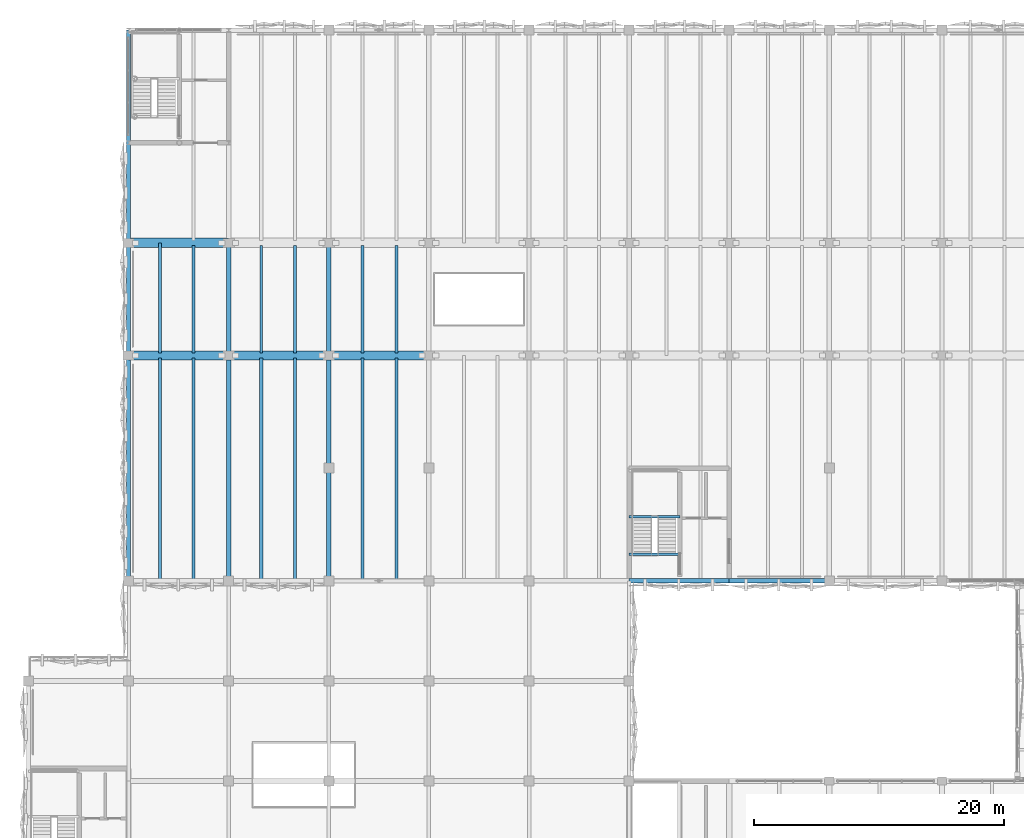
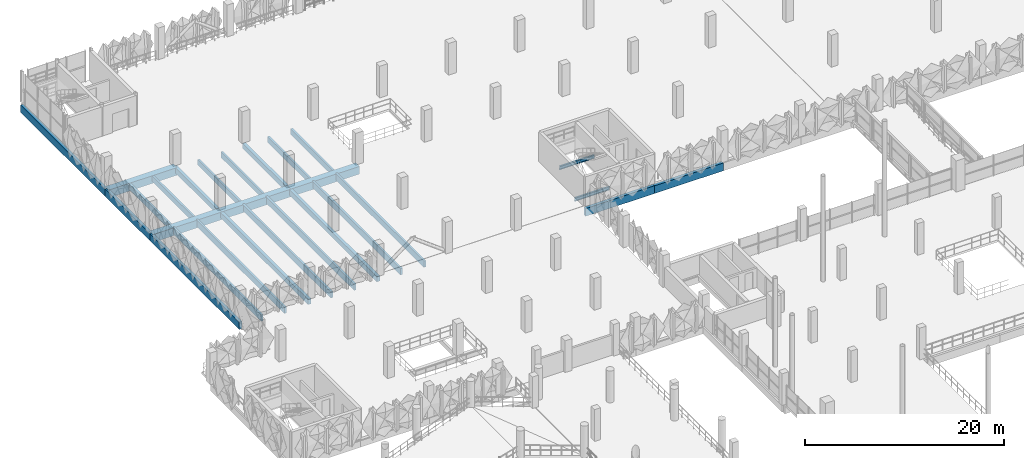
# One storey, part 29 of 123: 27 beams.
"""IFC4 building model written with IfcOpenShell, lengths in metres."""

from ifc_helpers import new_model, si_unit, derived_unit, direction, frame, origin, origin_2d, place, context, subcontext, project, spatial, rectangle, i_section, extrude, material, material_profile, profile_set, type_object, element, save


model = new_model("IFC4")

# Units and contexts
model_context = context("Model", 3, precision=1e-05, world=origin(), true_north=direction((0.0, 1.0)))
body_context = subcontext(model_context, "Body", "Model", "MODEL_VIEW")
ifc_project = project(units=[si_unit("LENGTHUNIT", "METRE"), si_unit("AREAUNIT", "SQUARE_METRE"), si_unit("VOLUMEUNIT", "CUBIC_METRE"), si_unit("PLANEANGLEUNIT", "RADIAN"), si_unit("MASSUNIT", "GRAM", prefix="KILO"), si_unit("THERMODYNAMICTEMPERATUREUNIT", "KELVIN"), derived_unit("THERMALTRANSMITTANCEUNIT", [(si_unit("POWERUNIT", "WATT"), 1), (si_unit("AREAUNIT", "SQUARE_METRE"), -1), (si_unit("THERMODYNAMICTEMPERATUREUNIT", "KELVIN"), -1)])], contexts=[model_context])

# Site, building, storey
site_placement = place(None, origin())
site = spatial("IfcSite", under=ifc_project, at=site_placement, CompositionType="ELEMENT")
building_placement = place(site_placement, origin())
building = spatial("IfcBuilding", under=site, at=building_placement, Name="Haiyu Intermodal Mobility Hub", CompositionType="ELEMENT")
storey_placement = place(building_placement, frame((0.0, 0.0, 5.60009765625)))
storey = spatial("IfcBuildingStorey", under=building, at=storey_placement, Name="L01", CompositionType="ELEMENT", Elevation=5.60009765625)

# Beams
ifc_material_1 = material(Name="Concrete C40", Category="concrete")
ifc_material_profile_1 = material_profile(ifc_material_1, rectangle(XDim=0.35009765625, YDim=0.64990234375, at=origin_2d()), Name="RCB350x650")
ifc_profile_set_1 = profile_set([ifc_material_profile_1], Name="Concrete C40")
beam_type_1 = type_object("IfcBeamType", Name="BM-CB04", PredefinedType="BEAM", material=ifc_profile_set_1)
beam_1_placement = place(storey_placement, frame((30.0, 104.0, -0.60009765625), z_axis=(0.0, 1.0, 0.0), x_axis=(-1.0, 0.0, 0.0)))
element("IfcBeam", 1, at=beam_1_placement, inside=storey, type_object=beam_type_1, Name="BM-V4E-L01-004", PredefinedType="BEAM", context=body_context, shape_type="SweptSolid", body=[
    extrude(rectangle(XDim=0.35009765625, YDim=0.64990234375, at=origin_2d()), origin(), (0.0, 0.0, 1.0), 18.0),
])
beam_2_placement = place(storey_placement, frame((30.0, 122.0, -0.60009765625), z_axis=(0.0, 1.0, 0.0), x_axis=(-1.0, 0.0, 0.0)))
element("IfcBeam", 2, at=beam_2_placement, inside=storey, type_object=beam_type_1, Name="BM-V4E-L01-005", PredefinedType="BEAM", context=body_context, shape_type="SweptSolid", body=[
    extrude(rectangle(XDim=0.35009765625, YDim=0.64990234375, at=origin_2d()), origin(), (0.0, 0.0, 1.0), 9.0),
])
beam_3_placement = place(storey_placement, frame((38.0, 104.0, -0.60009765625), z_axis=(0.0, 1.0, 0.0), x_axis=(-1.0, 0.0, 0.0)))
element("IfcBeam", 3, at=beam_3_placement, inside=storey, type_object=beam_type_1, Name="BM-V4E-L01-007", PredefinedType="BEAM", context=body_context, shape_type="SweptSolid", body=[
    extrude(rectangle(XDim=0.35009765625, YDim=0.64990234375, at=origin_2d()), origin(), (0.0, 0.0, 1.0), 18.0),
])
beam_4_placement = place(storey_placement, frame((38.0, 122.0, -0.60009765625), z_axis=(0.0, 1.0, 0.0), x_axis=(-1.0, 0.0, 0.0)))
element("IfcBeam", 4, at=beam_4_placement, inside=storey, type_object=beam_type_1, Name="BM-V4E-L01-008", PredefinedType="BEAM", context=body_context, shape_type="SweptSolid", body=[
    extrude(rectangle(XDim=0.35009765625, YDim=0.64990234375, at=origin_2d()), origin(), (0.0, 0.0, 1.0), 9.0),
])
ifc_material_2 = material(Name="Precast concrete C50", Category="concrete")
ifc_material_profile_2 = material_profile(ifc_material_2, rectangle(XDim=0.239990234375, YDim=0.780029296875, at=origin_2d()), Name="PC240x780")
ifc_profile_set_2 = profile_set([ifc_material_profile_2], Name="Precast concrete C50")
beam_type_2 = type_object("IfcBeamType", Name="BM-DT01", PredefinedType="JOIST", material=ifc_profile_set_2)
for number, where, z_axis, x_axis, name in (
    (5, (24.5, 104.0, -0.6650390625), (0.0, 1.0, 0.0), (-1.0, 0.0, 0.0), "BM-DT-L01-001"),
    (6, (27.199951171875, 104.0, -0.6650390625), (0.0, 1.0, 0.0), (-1.0, 0.0, 0.0), "BM-DT-L01-004"),
    (7, (32.60009765625, 104.0, -0.6650390625), (0.0, 1.0, 0.0), (-1.0, 0.0, 0.0), "BM-DT-L01-007"),
    (8, (35.300048828125, 104.0, -0.6650390625), (0.0, 1.0, 0.0), (-1.0, 0.0, 0.0), "BM-DT-L01-010"),
    (9, (40.699951171875, 104.0, -0.6650390625), (0.0, 1.0, 0.0), (-1.0, 0.0, 0.0), "BM-DT-L01-013"),
    (10, (43.39990234375, 104.0, -0.6650390625), (0.0, 1.0, 0.0), (-1.0, 0.0, 0.0), "BM-DT-L01-016"),
):
    element("IfcBeam", number, at=place(storey_placement, frame(where, z_axis=z_axis, x_axis=x_axis)), inside=storey, type_object=beam_type_2, Name=name, PredefinedType="JOIST", context=body_context, shape_type="SweptSolid", body=[
        extrude(rectangle(XDim=0.239990234375, YDim=0.780029296875, at=origin_2d()), origin(), (0.0, 0.0, 1.0), 17.804931640625),
    ])
ifc_material_profile_3 = material_profile(ifc_material_2, rectangle(XDim=0.22998046875, YDim=0.68994140625, at=origin_2d()), Name="B230x690")
ifc_profile_set_3 = profile_set([ifc_material_profile_3], Name="Precast concrete C50")
beam_type_3 = type_object("IfcBeamType", Name="BM-DT06", PredefinedType="JOIST", material=ifc_profile_set_3)
beam_5_placement = place(storey_placement, frame((24.5, 122.195068359375, -0.6201171875), z_axis=(0.0, 1.0, 0.0), x_axis=(-1.0, 0.0, 0.0)))
element("IfcBeam", 11, at=beam_5_placement, inside=storey, type_object=beam_type_3, Name="BM-DT-L01-002", PredefinedType="JOIST", context=body_context, shape_type="SweptSolid", body=[
    extrude(rectangle(XDim=0.22998046875, YDim=0.68994140625, at=origin_2d()), origin(), (0.0, 0.0, 1.0), 8.804931640625),
])
for number, where, z_axis, x_axis, name in (
    (12, (27.199951171875, 122.195068359375, -0.6201171875), (0.0, 1.0, 0.0), (-1.0, 0.0, 0.0), "BM-DT-L01-005"),
    (13, (32.60009765625, 122.195068359375, -0.6201171875), (0.0, 1.0, 0.0), (-1.0, 0.0, 0.0), "BM-DT-L01-008"),
    (14, (35.300048828125, 122.195068359375, -0.6201171875), (0.0, 1.0, 0.0), (-1.0, 0.0, 0.0), "BM-DT-L01-011"),
    (15, (40.699951171875, 122.195068359375, -0.6201171875), (0.0, 1.0, 0.0), (-1.0, 0.0, 0.0), "BM-DT-L01-014"),
    (16, (43.39990234375, 122.195068359375, -0.6201171875), (0.0, 1.0, 0.0), (-1.0, 0.0, 0.0), "BM-DT-L01-017"),
):
    element("IfcBeam", number, at=place(storey_placement, frame(where, z_axis=z_axis, x_axis=x_axis)), inside=storey, type_object=beam_type_3, Name=name, PredefinedType="JOIST", context=body_context, shape_type="SweptSolid", body=[
        extrude(rectangle(XDim=0.22998046875, YDim=0.68994140625, at=origin_2d()), origin(), (0.0, 0.0, 1.0), 8.60986328125),
    ])
ifc_material_profile_4 = material_profile(ifc_material_2, rectangle(XDim=0.75, YDim=0.949951171875, at=origin_2d()), Name="PC750x950")
ifc_profile_set_4 = profile_set([ifc_material_profile_4], Name="Precast concrete C50")
beam_type_4 = type_object("IfcBeamType", Name="BM-IT01", PredefinedType="T_BEAM", material=ifc_profile_set_4)
for number, where, z_axis, x_axis, name in (
    (17, (22.0, 122.0, -0.75), (1.0, 0.0, 0.0), (0.0, 1.0, 0.0), "BM-V4G-L01-017"),
    (18, (30.0, 122.0, -0.75), (1.0, 0.0, 0.0), (0.0, 1.0, 0.0), "BM-V4G-L01-018"),
    (19, (38.0, 122.0, -0.75), (1.0, 0.0, 0.0), (0.0, 1.0, 0.0), "BM-V4G-L01-019"),
    (20, (22.0, 131.0, -0.75), (1.0, 0.0, 0.0), (0.0, 1.0, 0.0), "BM-V4G-L01-033"),
):
    element("IfcBeam", number, at=place(storey_placement, frame(where, z_axis=z_axis, x_axis=x_axis)), inside=storey, type_object=beam_type_4, Name=name, PredefinedType="T_BEAM", context=body_context, shape_type="SweptSolid", body=[
        extrude(rectangle(XDim=0.75, YDim=0.949951171875, at=origin_2d()), origin(), (0.0, 0.0, 1.0), 8.0),
    ])
ifc_material_3 = material(Name="Steel Q355C", Category="steel")
ifc_material_profile_5 = material_profile(ifc_material_3, i_section(OverallWidth=0.199951171875, OverallDepth=0.39990234375, WebThickness=0.008056640625, FlangeThickness=0.012939453125, FilletRadius=0.01611328125, at=origin_2d()), Name="HN400x200x8x13")
ifc_profile_set_5 = profile_set([ifc_material_profile_5], Name="Steel Q355C")
beam_type_5 = type_object("IfcBeamType", Name="BM-SB08", PredefinedType="JOIST", material=ifc_profile_set_5)
for number, where, z_axis, x_axis, name in (
    (21, (62.0, 106.10009765625, -0.525146484375), (1.0, 0.0, 0.0), (0.0, 1.0, 0.0), "Stair Arrival Trimmer Beam C5-L00"),
    (22, (62.0, 109.1298828125, 1.52490234375), (1.0, 0.0, 0.0), (0.0, 1.0, 0.0), "Stair Half-Landing Front Beam C5-L01"),
):
    element("IfcBeam", number, at=place(storey_placement, frame(where, z_axis=z_axis, x_axis=x_axis)), inside=storey, type_object=beam_type_5, Name=name, PredefinedType="JOIST", context=body_context, shape_type="SweptSolid", body=[
        extrude(i_section(OverallWidth=0.199951171875, OverallDepth=0.39990234375, WebThickness=0.008056640625, FlangeThickness=0.012939453125, FilletRadius=0.01611328125, at=origin_2d()), origin(), (0.0, 0.0, 1.0), 4.050048828125),
    ])
ifc_material_4 = material(Name="Precast concrete C40", Category="concrete")
ifc_material_profile_6 = material_profile(ifc_material_4, rectangle(XDim=0.35009765625, YDim=0.949951171875, at=origin_2d()), Name="PC350x950")
ifc_profile_set_6 = profile_set([ifc_material_profile_6], Name="Precast concrete C40")
beam_type_6 = type_object("IfcBeamType", Name="BM-SP01", PredefinedType="SPANDREL", material=ifc_profile_set_6)
for number, where, z_axis, x_axis, name in (
    (23, (62.0, 104.0, -0.75), (1.0, 0.0, 0.0), (0.0, 1.0, 0.0), "BM-V4G-L01-006"),
    (24, (70.0, 104.0, -0.75), (1.0, 0.0, 0.0), (0.0, 1.0, 0.0), "BM-V4G-L01-007"),
):
    element("IfcBeam", number, at=place(storey_placement, frame(where, z_axis=z_axis, x_axis=x_axis)), inside=storey, type_object=beam_type_6, Name=name, PredefinedType="SPANDREL", context=body_context, shape_type="SweptSolid", body=[
        extrude(rectangle(XDim=0.35009765625, YDim=0.949951171875, at=origin_2d()), origin(), (0.0, 0.0, 1.0), 8.0),
    ])
ifc_material_profile_7 = material_profile(ifc_material_4, rectangle(XDim=0.340087890625, YDim=0.89990234375, at=origin_2d()), Name="B340x900")
ifc_profile_set_7 = profile_set([ifc_material_profile_7], Name="Precast concrete C40")
beam_type_7 = type_object("IfcBeamType", Name="BM-SP04", PredefinedType="SPANDREL", material=ifc_profile_set_7)
beam_6_placement = place(storey_placement, frame((22.0, 104.0, -0.72509765625), z_axis=(0.0, 1.0, 0.0), x_axis=(-1.0, 0.0, 0.0)))
element("IfcBeam", 25, at=beam_6_placement, inside=storey, type_object=beam_type_7, Name="BM-V4E-L01-001", PredefinedType="SPANDREL", context=body_context, shape_type="SweptSolid", body=[
    extrude(rectangle(XDim=0.340087890625, YDim=0.89990234375, at=origin_2d()), origin(), (0.0, 0.0, 1.0), 18.0),
])
beam_7_placement = place(storey_placement, frame((22.0, 122.0, -0.72509765625), z_axis=(0.0, 1.0, 0.0), x_axis=(-1.0, 0.0, 0.0)))
element("IfcBeam", 26, at=beam_7_placement, inside=storey, type_object=beam_type_7, Name="BM-V4E-L01-002", PredefinedType="SPANDREL", context=body_context, shape_type="SweptSolid", body=[
    extrude(rectangle(XDim=0.340087890625, YDim=0.89990234375, at=origin_2d()), origin(), (0.0, 0.0, 1.0), 9.0),
])
beam_8_placement = place(storey_placement, frame((22.0, 131.0, -0.72509765625), z_axis=(0.0, 1.0, 0.0), x_axis=(-1.0, 0.0, 0.0)))
element("IfcBeam", 27, at=beam_8_placement, inside=storey, type_object=beam_type_7, Name="BM-V4E-L01-003", PredefinedType="SPANDREL", context=body_context, shape_type="SweptSolid", body=[
    extrude(rectangle(XDim=0.340087890625, YDim=0.89990234375, at=origin_2d()), origin(), (0.0, 0.0, 1.0), 17.0),
])

save(model, "model.ifc")
